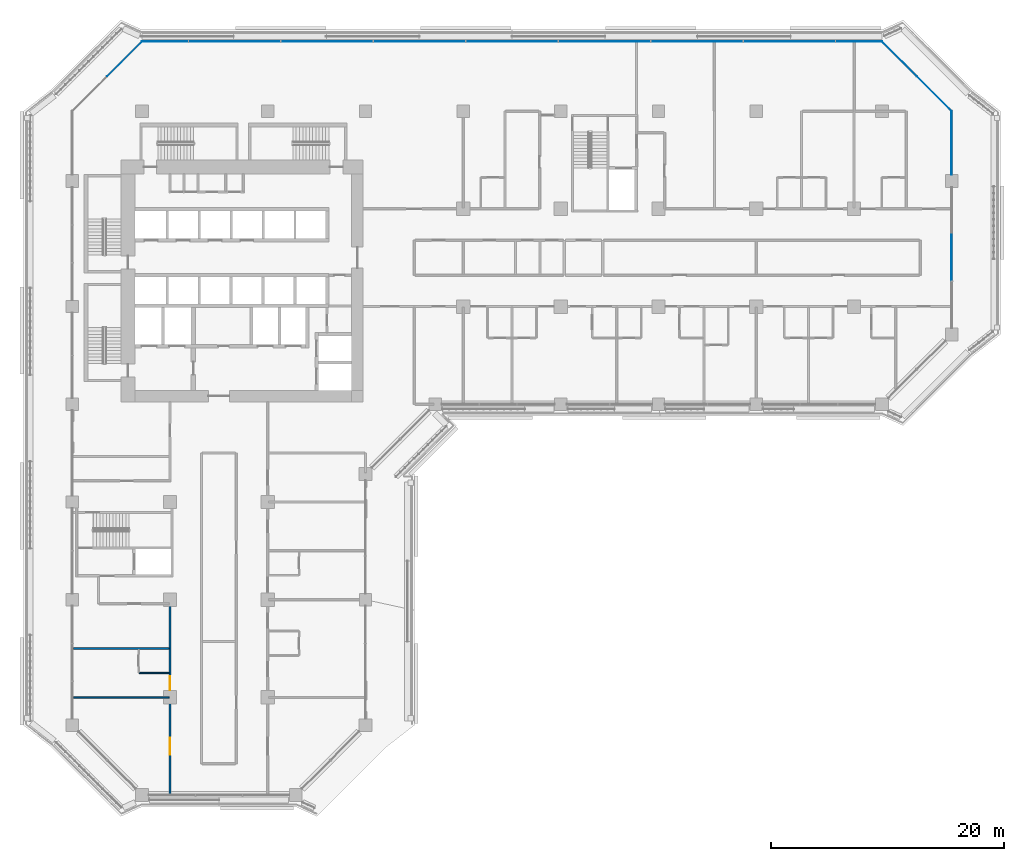
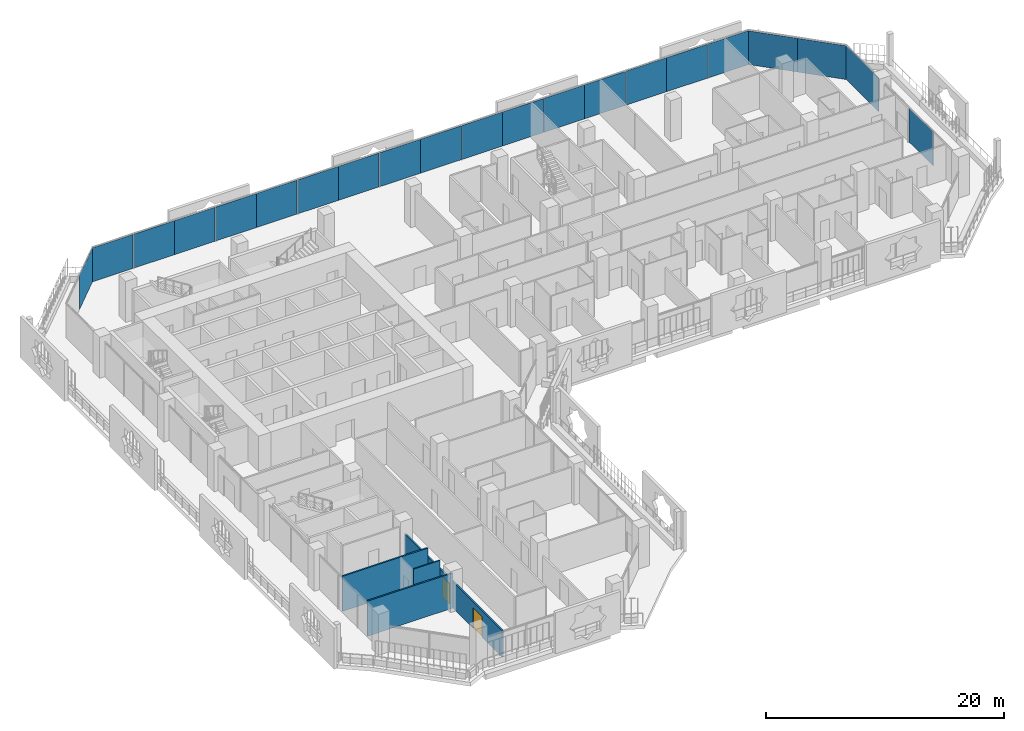
# One storey, part 11 of 25: 21 plates, 4 walls, 2 doors, 2 openings, 4 elements without a shape of their own.
"""IFC4 building model written with IfcOpenShell, lengths in metres."""

from ifc_helpers import new_model, si_unit, direction, frame, frame_2d, origin, origin_2d, place, context, subcontext, project, spatial, rectangle, extrude, material, layer, layer_set, type_object, element, fill, aggregate, save


model = new_model("IFC4")

# Units and contexts
model_context = context("Model", 3, precision=1e-05, world=origin(), true_north=direction((0.0, 1.0)))
body_context = subcontext(model_context, "Body", "Model", "MODEL_VIEW")
ifc_project = project(units=[si_unit("LENGTHUNIT", "METRE"), si_unit("AREAUNIT", "SQUARE_METRE"), si_unit("VOLUMEUNIT", "CUBIC_METRE"), si_unit("PLANEANGLEUNIT", "RADIAN"), si_unit("MASSUNIT", "GRAM", prefix="KILO")], contexts=[model_context])

# Site, building, storey
site_placement = place(None, origin())
site = spatial("IfcSite", under=ifc_project, at=site_placement, CompositionType="ELEMENT")
building_placement = place(site_placement, origin())
building = spatial("IfcBuilding", under=site, at=building_placement, Name="Kawkab Arch Medical Tower", CompositionType="ELEMENT")
storey_placement = place(building_placement, frame((0.0, 0.0, 140.800048828125)))
storey = spatial("IfcBuildingStorey", under=building, at=storey_placement, Name="L32", CompositionType="ELEMENT", Elevation=140.800048828125)

# Curtain wall, plates
ifc_material_1 = material(Name="Bronze anodised aluminium curtain wall frame", Category="aluminium")
ifc_layer_1 = layer(ifc_material_1, 0.159912109375)
ifc_layer_set_1 = layer_set([ifc_layer_1], Name="Bronze anodised aluminium curtain wall frame")
curtain_wall_type_1 = type_object("IfcCurtainWallType", Name="CW1 ward curtain wall", PredefinedType="NOTDEFINED", material=ifc_layer_set_1)
placement = place(storey_placement, origin())
curtain_wall_1 = element("IfcCurtainWall", 1, at=placement, inside=storey, type_object=curtain_wall_type_1, Name="CW1 Ward curtain wall R09", PredefinedType="NOTDEFINED")
ifc_material_2 = material(Name="Tinted insulating glass, bronze low-e coating", Category="glass")
ifc_layer_2 = layer(ifc_material_2, 0.031982421875)
ifc_layer_set_2 = layer_set([ifc_layer_2], Name="Tinted insulating glass, bronze low-e coating")
plate_type_1 = type_object("IfcPlateType", Name="CW1 glazing unit 32", PredefinedType="CURTAIN_PANEL", material=ifc_layer_set_2)
plate_1_placement = place(storey_placement, frame((75.60009765625, -12.5849609375, 0.0), z_axis=(0.0, 0.0, 1.0), x_axis=(0.0, 1.0, 0.0)))
plate_1 = element("IfcPlate", 2, at=plate_1_placement, type_object=plate_type_1, Name="CW1 glazing unit 1.2", PredefinedType="CURTAIN_PANEL", context=body_context, shape_type="SweptSolid", body=[
    extrude(rectangle(XDim=4.00341796875, YDim=0.031982421875, at=origin_2d()), origin(), (0.0, 0.0, 1.0), 3.47998046875),
])
plate_2_placement = place(storey_placement, frame((75.60009765625, -2.72509765625, 0.0), z_axis=(0.0, 0.0, 1.0), x_axis=(0.0, 1.0, 0.0)))
plate_2 = element("IfcPlate", 3, at=plate_2_placement, type_object=plate_type_1, Name="CW1 glazing unit 2.1", PredefinedType="CURTAIN_PANEL", context=body_context, shape_type="SweptSolid", body=[
    extrude(rectangle(XDim=5.449951171875, YDim=0.031982421875, at=origin_2d()), origin(), (0.0, 0.0, 1.0), 3.47998046875),
])
aggregate(curtain_wall_1, [plate_1, plate_2])

curtain_wall_2 = element("IfcCurtainWall", 4, at=placement, inside=storey, type_object=curtain_wall_type_1, Name="CW1 Ward curtain wall R11", PredefinedType="NOTDEFINED")
plate_3_placement = place(storey_placement, frame((67.62744140625, 6.0, 0.0), z_axis=(0.0, 0.0, 1.0), x_axis=(-1.0, 0.0, 0.0)))
plate_3 = element("IfcPlate", 5, at=plate_3_placement, type_object=plate_type_1, Name="CW1 glazing unit 1.1", PredefinedType="CURTAIN_PANEL", context=body_context, shape_type="SweptSolid", body=[
    extrude(rectangle(XDim=3.945068359375, YDim=0.031982421875, at=origin_2d()), origin(), (0.0, 0.0, 1.0), 3.47998046875),
])
plate_4_placement = place(storey_placement, frame((63.62255859375, 6.0, 0.0), z_axis=(0.0, 0.0, 1.0), x_axis=(-1.0, 0.0, 0.0)))
plate_4 = element("IfcPlate", 6, at=plate_4_placement, type_object=plate_type_1, Name="CW1 glazing unit 1.2", PredefinedType="CURTAIN_PANEL", context=body_context, shape_type="SweptSolid", body=[
    extrude(rectangle(XDim=3.945068359375, YDim=0.031982421875, at=origin_2d()), origin(), (0.0, 0.0, 1.0), 3.47998046875),
])
plate_5_placement = place(storey_placement, frame((59.677490234375, 6.0, 0.0), z_axis=(0.0, 0.0, 1.0), x_axis=(-1.0, 0.0, 0.0)))
plate_5 = element("IfcPlate", 7, at=plate_5_placement, type_object=plate_type_1, Name="CW1 glazing unit 2.1", PredefinedType="CURTAIN_PANEL", context=body_context, shape_type="SweptSolid", body=[
    extrude(rectangle(XDim=3.945068359375, YDim=0.031982421875, at=origin_2d()), origin(), (0.0, 0.0, 1.0), 3.47998046875),
])
plate_6_placement = place(storey_placement, frame((55.672607421875, 6.0, 0.0), z_axis=(0.0, 0.0, 1.0), x_axis=(-1.0, 0.0, 0.0)))
plate_6 = element("IfcPlate", 8, at=plate_6_placement, type_object=plate_type_1, Name="CW1 glazing unit 2.2", PredefinedType="CURTAIN_PANEL", context=body_context, shape_type="SweptSolid", body=[
    extrude(rectangle(XDim=3.945068359375, YDim=0.031982421875, at=origin_2d()), origin(), (0.0, 0.0, 1.0), 3.47998046875),
])
plate_7_placement = place(storey_placement, frame((51.7275390625, 6.0, 0.0), z_axis=(0.0, 0.0, 1.0), x_axis=(-1.0, 0.0, 0.0)))
plate_7 = element("IfcPlate", 9, at=plate_7_placement, type_object=plate_type_1, Name="CW1 glazing unit 3.1", PredefinedType="CURTAIN_PANEL", context=body_context, shape_type="SweptSolid", body=[
    extrude(rectangle(XDim=3.945068359375, YDim=0.031982421875, at=origin_2d()), origin(), (0.0, 0.0, 1.0), 3.47998046875),
])
plate_8_placement = place(storey_placement, frame((47.722412109375, 6.0, 0.0), z_axis=(0.0, 0.0, 1.0), x_axis=(-1.0, 0.0, 0.0)))
plate_8 = element("IfcPlate", 10, at=plate_8_placement, type_object=plate_type_1, Name="CW1 glazing unit 3.2", PredefinedType="CURTAIN_PANEL", context=body_context, shape_type="SweptSolid", body=[
    extrude(rectangle(XDim=3.945068359375, YDim=0.031982421875, at=origin_2d()), origin(), (0.0, 0.0, 1.0), 3.47998046875),
])
plate_9_placement = place(storey_placement, frame((43.777587890625, 6.0, 0.0), z_axis=(0.0, 0.0, 1.0), x_axis=(-1.0, 0.0, 0.0)))
plate_9 = element("IfcPlate", 11, at=plate_9_placement, type_object=plate_type_1, Name="CW1 glazing unit 4.1", PredefinedType="CURTAIN_PANEL", context=body_context, shape_type="SweptSolid", body=[
    extrude(rectangle(XDim=3.945068359375, YDim=0.031982421875, at=origin_2d()), origin(), (0.0, 0.0, 1.0), 3.47998046875),
])
plate_10_placement = place(storey_placement, frame((39.7724609375, 6.0, 0.0), z_axis=(0.0, 0.0, 1.0), x_axis=(-1.0, 0.0, 0.0)))
plate_10 = element("IfcPlate", 12, at=plate_10_placement, type_object=plate_type_1, Name="CW1 glazing unit 4.2", PredefinedType="CURTAIN_PANEL", context=body_context, shape_type="SweptSolid", body=[
    extrude(rectangle(XDim=3.945068359375, YDim=0.031982421875, at=origin_2d()), origin(), (0.0, 0.0, 1.0), 3.47998046875),
])
plate_11_placement = place(storey_placement, frame((35.827392578125, 6.0, 0.0), z_axis=(0.0, 0.0, 1.0), x_axis=(-1.0, 0.0, 0.0)))
plate_11 = element("IfcPlate", 13, at=plate_11_placement, type_object=plate_type_1, Name="CW1 glazing unit 5.1", PredefinedType="CURTAIN_PANEL", context=body_context, shape_type="SweptSolid", body=[
    extrude(rectangle(XDim=3.945068359375, YDim=0.031982421875, at=origin_2d()), origin(), (0.0, 0.0, 1.0), 3.47998046875),
])
plate_12_placement = place(storey_placement, frame((31.822509765625, 6.0, 0.0), z_axis=(0.0, 0.0, 1.0), x_axis=(-1.0, 0.0, 0.0)))
plate_12 = element("IfcPlate", 14, at=plate_12_placement, type_object=plate_type_1, Name="CW1 glazing unit 5.2", PredefinedType="CURTAIN_PANEL", context=body_context, shape_type="SweptSolid", body=[
    extrude(rectangle(XDim=3.945068359375, YDim=0.031982421875, at=origin_2d()), origin(), (0.0, 0.0, 1.0), 3.47998046875),
])
plate_13_placement = place(storey_placement, frame((27.87744140625, 6.0, 0.0), z_axis=(0.0, 0.0, 1.0), x_axis=(-1.0, 0.0, 0.0)))
plate_13 = element("IfcPlate", 15, at=plate_13_placement, type_object=plate_type_1, Name="CW1 glazing unit 6.1", PredefinedType="CURTAIN_PANEL", context=body_context, shape_type="SweptSolid", body=[
    extrude(rectangle(XDim=3.945068359375, YDim=0.031982421875, at=origin_2d()), origin(), (0.0, 0.0, 1.0), 3.47998046875),
])
plate_14_placement = place(storey_placement, frame((23.87255859375, 6.0, 0.0), z_axis=(0.0, 0.0, 1.0), x_axis=(-1.0, 0.0, 0.0)))
plate_14 = element("IfcPlate", 16, at=plate_14_placement, type_object=plate_type_1, Name="CW1 glazing unit 6.2", PredefinedType="CURTAIN_PANEL", context=body_context, shape_type="SweptSolid", body=[
    extrude(rectangle(XDim=3.945068359375, YDim=0.031982421875, at=origin_2d()), origin(), (0.0, 0.0, 1.0), 3.47998046875),
])
plate_15_placement = place(storey_placement, frame((19.927490234375, 6.0, 0.0), z_axis=(0.0, 0.0, 1.0), x_axis=(-1.0, 0.0, 0.0)))
plate_15 = element("IfcPlate", 17, at=plate_15_placement, type_object=plate_type_1, Name="CW1 glazing unit 7.1", PredefinedType="CURTAIN_PANEL", context=body_context, shape_type="SweptSolid", body=[
    extrude(rectangle(XDim=3.945068359375, YDim=0.031982421875, at=origin_2d()), origin(), (0.0, 0.0, 1.0), 3.47998046875),
])
plate_16_placement = place(storey_placement, frame((15.922607421875, 6.0, 0.0), z_axis=(0.0, 0.0, 1.0), x_axis=(-1.0, 0.0, 0.0)))
plate_16 = element("IfcPlate", 18, at=plate_16_placement, type_object=plate_type_1, Name="CW1 glazing unit 7.2", PredefinedType="CURTAIN_PANEL", context=body_context, shape_type="SweptSolid", body=[
    extrude(rectangle(XDim=3.945068359375, YDim=0.031982421875, at=origin_2d()), origin(), (0.0, 0.0, 1.0), 3.47998046875),
])
plate_17_placement = place(storey_placement, frame((11.9775390625, 6.0, 0.0), z_axis=(0.0, 0.0, 1.0), x_axis=(-1.0, 0.0, 0.0)))
plate_17 = element("IfcPlate", 19, at=plate_17_placement, type_object=plate_type_1, Name="CW1 glazing unit 8.1", PredefinedType="CURTAIN_PANEL", context=body_context, shape_type="SweptSolid", body=[
    extrude(rectangle(XDim=3.945068359375, YDim=0.031982421875, at=origin_2d()), origin(), (0.0, 0.0, 1.0), 3.47998046875),
])
plate_18_placement = place(storey_placement, frame((7.972412109375, 6.0, 0.0), z_axis=(0.0, 0.0, 1.0), x_axis=(-1.0, 0.0, 0.0)))
plate_18 = element("IfcPlate", 20, at=plate_18_placement, type_object=plate_type_1, Name="CW1 glazing unit 8.2", PredefinedType="CURTAIN_PANEL", context=body_context, shape_type="SweptSolid", body=[
    extrude(rectangle(XDim=3.945068359375, YDim=0.031982421875, at=origin_2d()), origin(), (0.0, 0.0, 1.0), 3.47998046875),
])
aggregate(curtain_wall_2, [plate_3, plate_4, plate_5, plate_6, plate_7, plate_8, plate_9, plate_10, plate_11, plate_12, plate_13, plate_14, plate_15, plate_16, plate_17, plate_18])

ifc_material_3 = material(Name="Bronze anodised aluminium curtain wall frame", Category="aluminium")
ifc_layer_3 = layer(ifc_material_3, 0.159912109375)
ifc_layer_set_3 = layer_set([ifc_layer_3], Name="Bronze anodised aluminium curtain wall frame")
curtain_wall_type_2 = type_object("IfcCurtainWallType", Name="CW2 chamfer curtain wall", PredefinedType="NOTDEFINED", material=ifc_layer_set_3)
curtain_wall_3 = element("IfcCurtainWall", 21, at=placement, inside=storey, type_object=curtain_wall_type_2, Name="CW2 Chamfer curtain wall R10", PredefinedType="NOTDEFINED")
ifc_material_4 = material(Name="Tinted insulating glass, bronze low-e coating", Category="glass")
ifc_layer_4 = layer(ifc_material_4, 0.031982421875)
ifc_layer_set_4 = layer_set([ifc_layer_4], Name="Tinted insulating glass, bronze low-e coating")
plate_type_2 = type_object("IfcPlateType", Name="CW2 glazing unit 32", PredefinedType="CURTAIN_PANEL", material=ifc_layer_set_4)
plate_19_placement = place(storey_placement, frame((74.10009765625, 1.5, 0.0), z_axis=(0.0, 0.0, 1.0), x_axis=(-0.707106781187, 0.707106781187, 0.0)))
plate_19 = element("IfcPlate", 22, at=plate_19_placement, type_object=plate_type_2, Name="CW2 glazing unit 1.1", PredefinedType="CURTAIN_PANEL", context=body_context, shape_type="SweptSolid", body=[
    extrude(rectangle(XDim=4.24267578125, YDim=0.031982421875, at=origin_2d()), origin(), (0.0, 0.0, 1.0), 3.4599609375),
])
plate_20_placement = place(storey_placement, frame((71.10009765625, 4.5, 0.0), z_axis=(0.0, 0.0, 1.0), x_axis=(-0.707106781187, 0.707106781187, 0.0)))
plate_20 = element("IfcPlate", 23, at=plate_20_placement, type_object=plate_type_2, Name="CW2 glazing unit 2.1", PredefinedType="CURTAIN_PANEL", context=body_context, shape_type="SweptSolid", body=[
    extrude(rectangle(XDim=4.24267578125, YDim=0.031982421875, at=origin_2d()), origin(), (0.0, 0.0, 1.0), 3.4599609375),
])
aggregate(curtain_wall_3, [plate_19, plate_20])

# Curtain wall, plate
curtain_wall_4 = element("IfcCurtainWall", 24, at=placement, inside=storey, type_object=curtain_wall_type_2, Name="CW2 Chamfer curtain wall R12", PredefinedType="NOTDEFINED")
plate_21_placement = place(storey_placement, frame((4.5, 4.5, 0.0), z_axis=(0.0, 0.0, 1.0), x_axis=(-0.707106781187, -0.707106781187, 0.0)))
plate_21 = element("IfcPlate", 25, at=plate_21_placement, type_object=plate_type_2, Name="CW2 glazing unit 1.1", PredefinedType="CURTAIN_PANEL", context=body_context, shape_type="SweptSolid", body=[
    extrude(rectangle(XDim=4.24267578125, YDim=0.031982421875, at=origin_2d()), origin(), (0.0, 0.0, 1.0), 3.4599609375),
])
aggregate(curtain_wall_4, [plate_21])

# Walls
ifc_material_5 = material(Name="Gypsum board partition on steel studs", Category="steel")
ifc_layer_5 = layer(ifc_material_5, 0.10009765625)
ifc_layer_set_5 = layer_set([ifc_layer_5], Name="Gypsum board partition on steel studs")
wall_type_1 = type_object("IfcWallType", Name="Partition 100", PredefinedType="PARTITIONING", material=ifc_layer_set_5)
wall_1_placement = place(storey_placement, frame((5.75, -48.300048828125, 0.0), z_axis=(0.0, 0.0, 1.0), x_axis=(1.0, 0.0, 0.0)))
element("IfcWall", 26, at=wall_1_placement, inside=storey, type_object=wall_type_1, Name="Partition 100 w001", PredefinedType="PARTITIONING", context=body_context, shape_type="SweptSolid", body=[
    extrude(rectangle(XDim=2.574951171875, YDim=0.10009765625, at=frame_2d((1.28759765625, 0.0))), origin(), (0.0, 0.0, 1.0), 3.599853515625),
])
ifc_material_6 = material(Name="Gypsum board partition on steel studs, mineral wool", Category="steel")
ifc_layer_6 = layer(ifc_material_6, 0.14990234375)
ifc_layer_set_6 = layer_set([ifc_layer_6], Name="Gypsum board partition on steel studs, mineral wool")
wall_type_2 = type_object("IfcWallType", Name="Partition 150", PredefinedType="PARTITIONING", material=ifc_layer_set_6)
for number, where, z_axis, x_axis, name in (
    (27, (0.080078125, -50.39990234375, 0.0), (0.0, 0.0, 1.0), (1.0, 0.0, 0.0), "Partition 150 w031"),
    (28, (0.080078125, -46.199951171875, 0.0), (0.0, 0.0, 1.0), (1.0, 0.0, 0.0), "Partition 150 w033"),
):
    element("IfcWall", number, at=place(storey_placement, frame(where, z_axis=z_axis, x_axis=x_axis)), inside=storey, type_object=wall_type_2, Name=name, PredefinedType="PARTITIONING", context=body_context, shape_type="SweptSolid", body=[
        extrude(rectangle(XDim=8.244873046875, YDim=0.14990234375, at=frame_2d((4.12255859375, 0.0))), origin(), (0.0, 0.0, 1.0), 3.599853515625),
    ])

# Wall, openings, doors
wall_2_placement = place(storey_placement, frame((8.39990234375, -58.719970703125, 0.0), z_axis=(0.0, 0.0, 1.0), x_axis=(0.0, 1.0, 0.0)))
wall_2 = element("IfcWall", 29, at=wall_2_placement, inside=storey, type_object=wall_type_2, Name="Partition 150 w059", PredefinedType="PARTITIONING", context=body_context, shape_type="SweptSolid", body=[
    extrude(rectangle(XDim=16.369873046875, YDim=0.14990234375, at=frame_2d((8.18505859375, 0.0))), origin(), (0.0, 0.0, 1.0), 2.699951171875),
])
opening_1_placement = place(wall_2_placement, frame((8.919921875, 0.0, 0.0)))
opening_1 = element("IfcOpeningElement", 30, at=opening_1_placement, cuts=wall_2, Name="Opening W27-053", PredefinedType="OPENING", context=body_context, shape_type="SweptSolid", body=[
    extrude(rectangle(XDim=1.199951171875, YDim=2.10009765625, at=frame_2d((0.60009765625, 1.050048828125))), frame((0.0, 0.0849609375, 0.0), z_axis=(0.0, -1.0, 0.0), x_axis=(1.0, 0.0, 0.0)), (0.0, 0.0, 1.0), 0.169921875),
])
opening_2_placement = place(wall_2_placement, frame((3.3701171875, 0.0, 0.0)))
opening_2 = element("IfcOpeningElement", 31, at=opening_2_placement, cuts=wall_2, Name="Opening W27-002", PredefinedType="OPENING", context=body_context, shape_type="SweptSolid", body=[
    extrude(rectangle(XDim=1.5, YDim=2.10009765625, at=frame_2d((0.75, 1.050048828125))), frame((0.0, 0.0849609375, 0.0), z_axis=(0.0, -1.0, 0.0), x_axis=(1.0, 0.0, 0.0)), (0.0, 0.0, 1.0), 0.169921875),
])
ifc_material_7 = material(Name="Hollow metal door leaf")
door_type_1 = type_object("IfcDoorType", Name="Double door 1500x2100 FD30S", OperationType="NOTDEFINED", PredefinedType="DOOR", material=ifc_material_7)
door_1_placement = place(opening_2_placement, origin())
door_1 = element("IfcDoor", 32, at=door_1_placement, inside=storey, type_object=door_type_1, Name="Door W27-002", OperationType="DOUBLE_DOOR_SINGLE_SWING", OverallHeight=2.10009765625, OverallWidth=1.5, PredefinedType="DOOR", context=body_context, shape_type="SweptSolid", body=[
    extrude(rectangle(XDim=1.5, YDim=2.10009765625, at=frame_2d((0.75, 1.050048828125))), frame((0.0, 0.02490234375, 0.0), z_axis=(0.0, -1.0, 0.0), x_axis=(1.0, 0.0, 0.0)), (0.0, 0.0, 1.0), 0.050048828125),
])
fill(opening_2, door_1)
ifc_material_8 = material(Name="Hollow metal door leaf")
door_type_2 = type_object("IfcDoorType", Name="Single door 1200x2100 FD30S", OperationType="NOTDEFINED", PredefinedType="DOOR", material=ifc_material_8)
door_2_placement = place(opening_1_placement, origin())
door_2 = element("IfcDoor", 33, at=door_2_placement, inside=storey, type_object=door_type_2, Name="Door W27-053", OperationType="SINGLE_SWING_RIGHT", OverallHeight=2.10009765625, OverallWidth=1.199951171875, PredefinedType="DOOR", context=body_context, shape_type="SweptSolid", body=[
    extrude(rectangle(XDim=1.199951171875, YDim=2.10009765625, at=frame_2d((0.60009765625, 1.050048828125))), frame((0.0, 0.02490234375, 0.0), z_axis=(0.0, -1.0, 0.0), x_axis=(1.0, 0.0, 0.0)), (0.0, 0.0, 1.0), 0.050048828125),
])
fill(opening_1, door_2)

save(model, "model.ifc")
